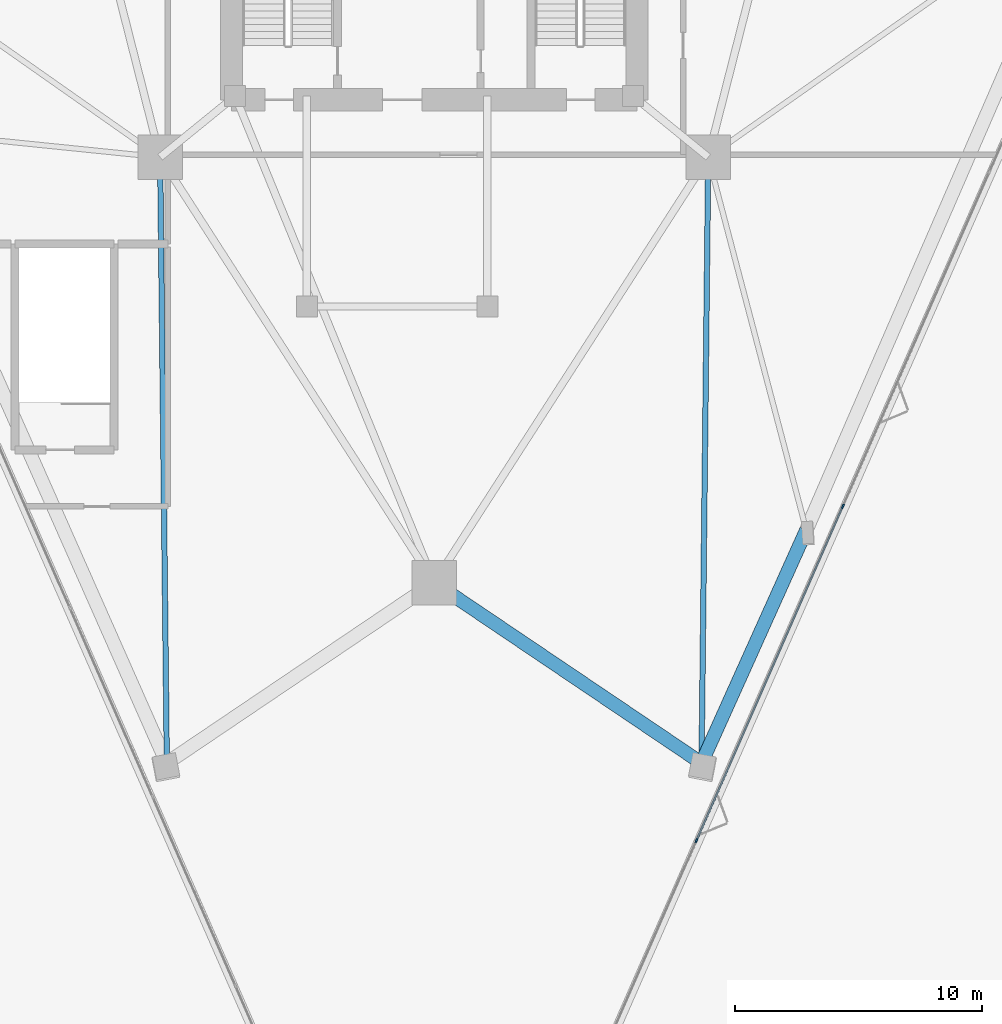
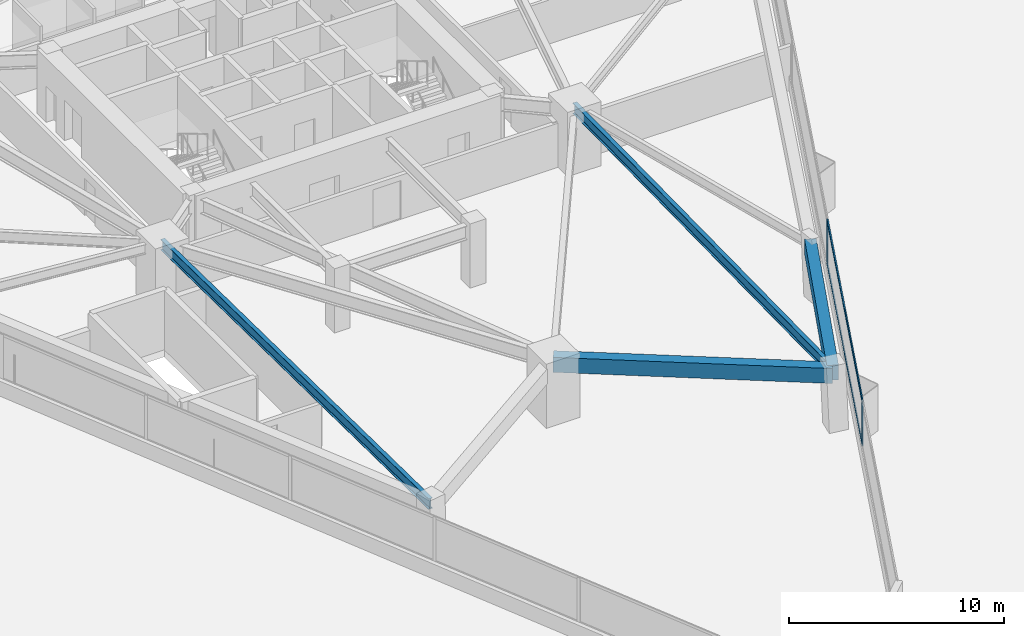
# One storey, part 4 of 21: 4 beams, 4 members, 1 element without a shape of its own.
"""IFC4 building model written with IfcOpenShell, lengths in metres."""

from ifc_helpers import new_model, si_unit, direction, frame, origin, origin_2d, place, context, subcontext, project, spatial, rectangle, i_section, extrude, material, layer, layer_set, material_profile, profile_set, type_object, element, aggregate, save


model = new_model("IFC4")

# Units and contexts
model_context = context("Model", 3, precision=1e-05, world=origin(), true_north=direction((0.0, 1.0)))
body_context = subcontext(model_context, "Body", "Model", "MODEL_VIEW")
ifc_project = project(units=[si_unit("LENGTHUNIT", "METRE"), si_unit("AREAUNIT", "SQUARE_METRE"), si_unit("VOLUMEUNIT", "CUBIC_METRE"), si_unit("PLANEANGLEUNIT", "RADIAN"), si_unit("MASSUNIT", "GRAM", prefix="KILO")], contexts=[model_context])

# Site, building, storey
site_placement = place(None, origin())
site = spatial("IfcSite", under=ifc_project, at=site_placement, CompositionType="ELEMENT")
building_placement = place(site_placement, origin())
building = spatial("IfcBuilding", under=site, at=building_placement, Name="Talyreon Biosciences Tower", CompositionType="ELEMENT")
storey_placement = place(building_placement, frame((0.0, 0.0, 22.800048828125)))
storey = spatial("IfcBuildingStorey", under=building, at=storey_placement, Name="L05", CompositionType="ELEMENT", Elevation=22.800048828125)

# Curtain wall, members
ifc_material_1 = material(Name="Thermally broken aluminium and low-E glazing", Category="aluminium")
ifc_layer = layer(ifc_material_1, 0.195068359375)
ifc_layer_set = layer_set([ifc_layer], Name="Thermally broken aluminium and low-E glazing")
curtain_wall_type = type_object("IfcCurtainWallType", Name="CurtainWall_Zone1WetLab", PredefinedType="NOTDEFINED", material=ifc_layer_set)
curtain_wall_placement = place(storey_placement, origin())
curtain_wall = element("IfcCurtainWall", 1, at=curtain_wall_placement, inside=storey, type_object=curtain_wall_type, Name="L05 Unitised Curtain Wall FCW-L05-08", PredefinedType="NOTDEFINED")
ifc_material_2 = material(Name="Anodised thermally broken aluminium", Category="aluminium")
ifc_material_profile_1 = material_profile(ifc_material_2, rectangle(XDim=0.06494140625, YDim=0.179931640625, at=origin_2d()), Name="ALUM MULLION 65x180")
ifc_profile_set_1 = profile_set([ifc_material_profile_1], Name="Anodised thermally broken aluminium")
member_type_1 = type_object("IfcMemberType", Name="CWMullion_65x180", PredefinedType="MULLION", material=ifc_profile_set_1)
member_1_placement = place(storey_placement, frame((82.5341796875, 44.752685546875, 0.81005859375), z_axis=(0.0, 0.0, 1.0), x_axis=(0.915926900592, -0.401345129249, 0.0)))
member_1 = element("IfcMember", 2, at=member_1_placement, type_object=member_type_1, Name="CW2 mullion 4", PredefinedType="MULLION", context=body_context, shape_type="SweptSolid", body=[
    extrude(rectangle(XDim=0.06494140625, YDim=0.179931640625, at=origin_2d()), origin(), (0.0, 0.0, 1.0), 2.56494140625),
])
member_2_placement = place(storey_placement, frame((76.61181640625, 31.237060546875, 0.81005859375), z_axis=(0.0, 0.0, 1.0), x_axis=(0.915926900592, -0.401345129249, 0.0)))
member_2 = element("IfcMember", 3, at=member_2_placement, type_object=member_type_1, Name="CW2 mullion 5", PredefinedType="MULLION", context=body_context, shape_type="SweptSolid", body=[
    extrude(rectangle(XDim=0.06494140625, YDim=0.179931640625, at=origin_2d()), origin(), (0.0, 0.0, 1.0), 2.56494140625),
])
ifc_material_profile_2 = material_profile(ifc_material_2, rectangle(XDim=0.06494140625, YDim=0.139892578125, at=origin_2d()), Name="ALUM TRANSOM 65x140")
ifc_profile_set_2 = profile_set([ifc_material_profile_2], Name="Anodised thermally broken aluminium")
member_type_2 = type_object("IfcMemberType", Name="CWTransom_65x140", PredefinedType="USERDEFINED", material=ifc_profile_set_2)
member_3_placement = place(storey_placement, frame((82.52099609375, 44.722900390625, 0.842529296875), z_axis=(-0.401345318485, -0.915926817672, 0.0), x_axis=(0.915926817672, -0.401345318485, 0.0)))
member_3 = element("IfcMember", 4, at=member_3_placement, type_object=member_type_2, Name="CW2 transom 4.1", ObjectType="TRANSOM", PredefinedType="USERDEFINED", context=body_context, shape_type="SweptSolid", body=[
    extrude(rectangle(XDim=0.06494140625, YDim=0.139892578125, at=origin_2d()), origin(), (0.0, 0.0, 1.0), 14.691162109375),
])
member_4_placement = place(storey_placement, frame((82.52099609375, 44.722900390625, 3.342529296875), z_axis=(-0.401345318485, -0.915926817672, 0.0), x_axis=(0.915926817672, -0.401345318485, 0.0)))
member_4 = element("IfcMember", 5, at=member_4_placement, type_object=member_type_2, Name="CW2 transom 4.2", ObjectType="TRANSOM", PredefinedType="USERDEFINED", context=body_context, shape_type="SweptSolid", body=[
    extrude(rectangle(XDim=0.06494140625, YDim=0.139892578125, at=origin_2d()), origin(), (0.0, 0.0, 1.0), 14.691162109375),
])
aggregate(curtain_wall, [member_1, member_2, member_3, member_4])

# Beams
ifc_material_3 = material(Name="Precast concrete C45/55", Category="concrete")
ifc_material_profile_3 = material_profile(ifc_material_3, rectangle(XDim=0.550048828125, YDim=0.85009765625, at=origin_2d()), Name="RCB 550x850")
ifc_profile_set_3 = profile_set([ifc_material_profile_3], Name="Precast concrete C45/55")
beam_type_1 = type_object("IfcBeamType", Name="ExpressedSpandrel_550x850", PredefinedType="SPANDREL", material=ifc_profile_set_3)
beam_1_placement = place(storey_placement, frame((66.0, 41.6669921875, 2.949951171875), z_axis=(0.828974684382, -0.559286127715, 0.0), x_axis=(0.559286127715, 0.828974684382, 0.0)))
element("IfcBeam", 6, at=beam_1_placement, inside=storey, type_object=beam_type_1, Name="L05 Expressed Horizontal Concrete Spandrel 01", PredefinedType="SPANDREL", context=body_context, shape_type="SweptSolid", body=[
    extrude(rectangle(XDim=0.550048828125, YDim=0.85009765625, at=origin_2d()), origin(), (0.0, 0.0, 1.0), 13.047607421875),
])
beam_2_placement = place(storey_placement, frame((76.816162109375, 34.36962890625, 2.949951171875), z_axis=(0.410204485466, 0.911993574596, 0.0), x_axis=(-0.911993574596, 0.410204485466, 0.0)))
element("IfcBeam", 7, at=beam_2_placement, inside=storey, type_object=beam_type_1, Name="L05 Expressed Horizontal Concrete Spandrel 02", PredefinedType="SPANDREL", context=body_context, shape_type="SweptSolid", body=[
    extrude(rectangle(XDim=0.550048828125, YDim=0.85009765625, at=origin_2d()), origin(), (0.0, 0.0, 1.0), 10.329833984375),
])
ifc_material_4 = material(Name="Steel SM355", Category="steel")
ifc_material_profile_4 = material_profile(ifc_material_4, i_section(OverallWidth=0.219970703125, OverallDepth=0.60009765625, WebThickness=0.011962890625, FlangeThickness=0.01904296875, FilletRadius=0.02392578125, at=origin_2d()), Name="IPE600")
ifc_profile_set_4 = profile_set([ifc_material_profile_4], Name="Steel SM355")
beam_type_2 = type_object("IfcBeamType", Name="SteelJoist_IPE600", PredefinedType="JOIST", material=ifc_profile_set_4)
for number, where, z_axis, x_axis, name in (
    (8, (77.086181640625, 58.88037109375, 3.074951171875), (-0.011015706739, -0.999939325262, 0.0), (0.999939325262, -0.011015706739, 0.0), "L05 Radial Composite Floor Joist PC-SE1"),
    (9, (54.913818359375, 58.88037109375, 3.074951171875), (0.011015706739, -0.999939325262, 0.0), (0.999939325262, 0.011015706739, 0.0), "L05 Radial Composite Floor Joist PC-SW2"),
):
    element("IfcBeam", number, at=place(storey_placement, frame(where, z_axis=z_axis, x_axis=x_axis)), inside=storey, type_object=beam_type_2, Name=name, PredefinedType="JOIST", context=body_context, shape_type="SweptSolid", body=[
        extrude(i_section(OverallWidth=0.219970703125, OverallDepth=0.60009765625, WebThickness=0.011962890625, FlangeThickness=0.01904296875, FilletRadius=0.02392578125, at=origin_2d()), origin(), (0.0, 0.0, 1.0), 24.51220703125),
    ])

save(model, "model.ifc")
